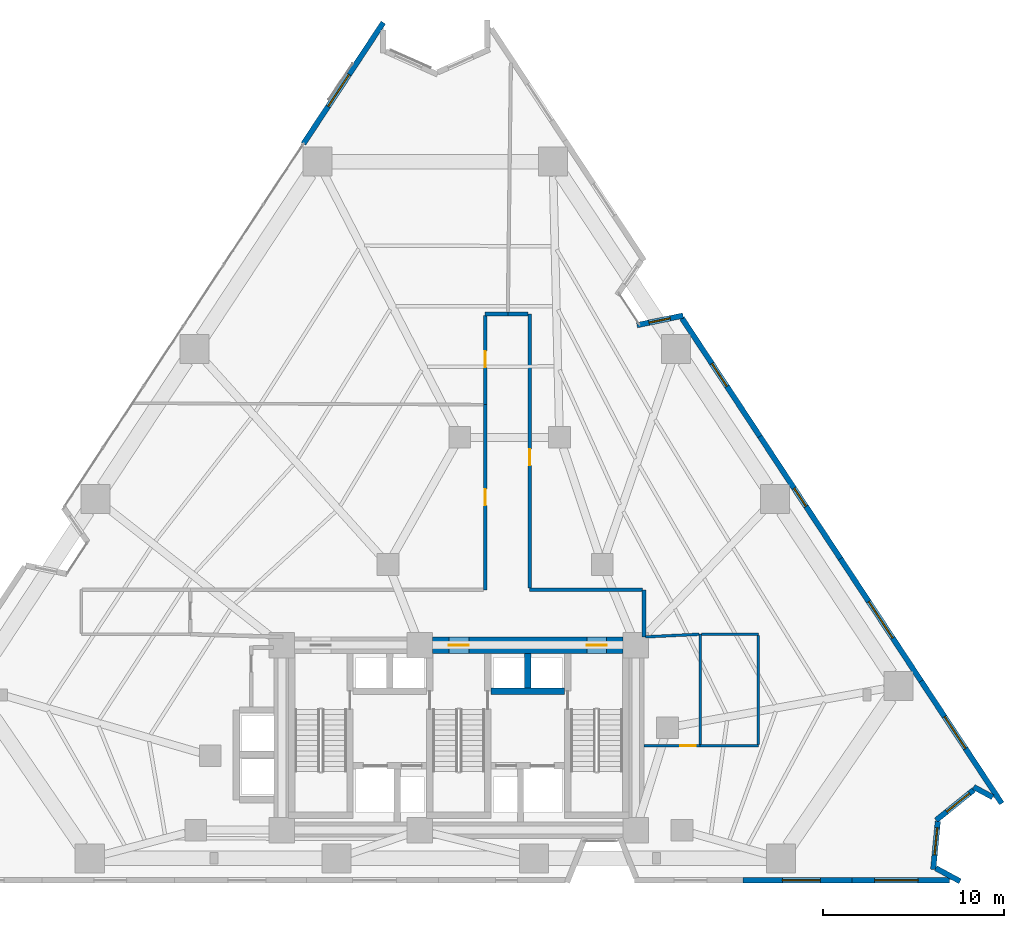
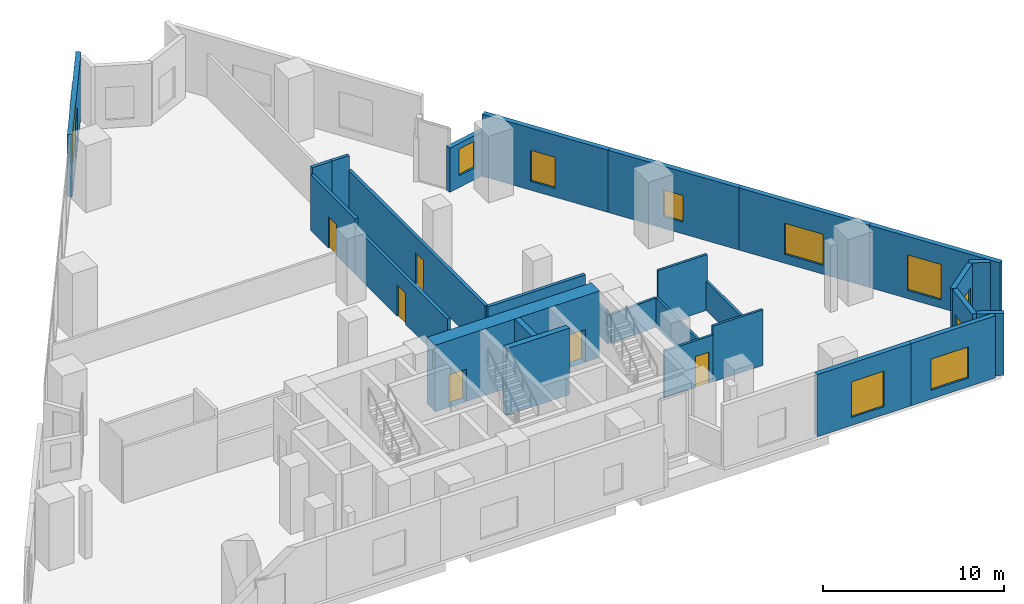
# One storey, part 8 of 11: 28 walls, 10 windows, 6 doors, 16 openings.
"""IFC4 building model written with IfcOpenShell, lengths in metres."""

from ifc_helpers import new_model, si_unit, direction, frame, frame_2d, origin, place, context, subcontext, project, spatial, rectangle, extrude, material, layer, layer_set, type_object, element, fill, save


model = new_model("IFC4")

# Units and contexts
model_context = context("Model", 3, precision=1e-05, world=origin(), true_north=direction((0.0, 1.0)))
body_context = subcontext(model_context, "Body", "Model", "MODEL_VIEW")
ifc_project = project(units=[si_unit("LENGTHUNIT", "METRE"), si_unit("AREAUNIT", "SQUARE_METRE"), si_unit("VOLUMEUNIT", "CUBIC_METRE"), si_unit("PLANEANGLEUNIT", "RADIAN"), si_unit("MASSUNIT", "GRAM", prefix="KILO")], contexts=[model_context])

# Site, building, storey
site_placement = place(None, origin())
site = spatial("IfcSite", under=ifc_project, at=site_placement, CompositionType="ELEMENT")
building_placement = place(site_placement, origin())
building = spatial("IfcBuilding", under=site, at=building_placement, Name="Almagre Mirador Tower", CompositionType="ELEMENT")
storey_placement = place(building_placement, frame((0.0, 0.0, 21.89990234375)))
storey = spatial("IfcBuildingStorey", under=building, at=storey_placement, Name="L04", CompositionType="ELEMENT", Elevation=21.89990234375)

# Wall, opening, window
ifc_material_1 = material(Name="Precast concrete C50/60", Category="concrete")
ifc_layer_1 = layer(ifc_material_1, 0.300048828125)
ifc_layer_set_1 = layer_set([ifc_layer_1], Name="Precast concrete C50/60")
wall_type_1 = type_object("IfcWallType", Name="WAL-EXT-300", PredefinedType="SOLIDWALL", material=ifc_layer_set_1)
wall_1_placement = place(storey_placement, frame((28.734619140625, 42.37353515625, 0.0), z_axis=(0.0, 0.0, 1.0), x_axis=(0.550187716895, 0.835041002693, 0.0)))
wall_1 = element("IfcWall", 1, at=wall_1_placement, inside=storey, type_object=wall_type_1, Name="L04 expressed almagre precast frame wall 03", PredefinedType="SOLIDWALL", context=body_context, shape_type="SweptSolid", body=[
    extrude(rectangle(XDim=8.005126953125, YDim=0.300048828125, at=frame_2d((4.00244140625, 0.0))), origin(), (0.0, 0.0, 1.0), 4.2001953125),
])
opening_1_placement = place(wall_1_placement, frame((2.47509765625, 0.0, 0.550048828125)))
opening_1 = element("IfcOpeningElement", 2, at=opening_1_placement, cuts=wall_1, Name="Opening WN-05", PredefinedType="OPENING", context=body_context, shape_type="SweptSolid", body=[
    extrude(rectangle(XDim=2.10009765625, YDim=2.39990234375, at=frame_2d((1.050048828125, 1.199951171875))), frame((0.0, 0.159902, 0.0), z_axis=(0.0, -1.0, 0.0), x_axis=(1.0, 0.0, 0.0)), (0.0, 0.0, 1.0), 0.320049),
])
ifc_material_2 = material(Name="Dark solar-control laminated hurricane glass", Category="glass")
window_type_1 = type_object("IfcWindowType", Name="WIN-2100X2400", PartitioningType="DOUBLE_PANEL_VERTICAL", PredefinedType="WINDOW", material=ifc_material_2)
window_1_placement = place(opening_1_placement, origin())
window_1 = element("IfcWindow", 3, at=window_1_placement, inside=storey, type_object=window_type_1, Name="L04 recessed hurricane window L04-GAL-8", OverallHeight=2.39990234375, OverallWidth=2.10009765625, PartitioningType="SINGLE_PANEL", PredefinedType="WINDOW", context=body_context, shape_type="SweptSolid", body=[
    extrude(rectangle(XDim=2.10009765625, YDim=2.39990234375, at=frame_2d((1.050048828125, 1.199951171875))), frame((0.0, 0.030029296875, 0.0), z_axis=(0.0, -1.0, 0.0), x_axis=(1.0, 0.0, 0.0)), (0.0, 0.0, 1.0), 0.06005859375),
])
fill(opening_1, window_1)

wall_2_placement = place(storey_placement, frame((47.117919921875, 32.382568359375, 0.0), z_axis=(0.0, 0.0, 1.0), x_axis=(0.979237233816, 0.20271763591, 0.0)))
wall_2 = element("IfcWall", 4, at=wall_2_placement, inside=storey, type_object=wall_type_1, Name="L04 expressed almagre precast frame wall 11", PredefinedType="SOLIDWALL", context=body_context, shape_type="SweptSolid", body=[
    extrude(rectangle(XDim=2.59423828125, YDim=0.300048828125, at=frame_2d((1.297119140625, 0.0))), origin(), (0.0, 0.0, 1.0), 2.97509765625),
])
opening_2_placement = place(wall_2_placement, frame((0.675048828125, 0.0, 0.800048828125)))
opening_2 = element("IfcOpeningElement", 5, at=opening_2_placement, cuts=wall_2, Name="Opening WN-04", PredefinedType="OPENING", context=body_context, shape_type="SweptSolid", body=[
    extrude(rectangle(XDim=1.199951171875, YDim=1.800048828125, at=frame_2d((0.60009765625, 0.89990234375))), frame((0.0, 0.159902, 0.0), z_axis=(0.0, -1.0, 0.0), x_axis=(1.0, 0.0, 0.0)), (0.0, 0.0, 1.0), 0.320049),
])
ifc_material_3 = material(Name="Dark solar-control laminated hurricane glass", Category="glass")
window_type_2 = type_object("IfcWindowType", Name="WIN-1200X1800", PartitioningType="SINGLE_PANEL", PredefinedType="WINDOW", material=ifc_material_3)
window_2_placement = place(opening_2_placement, origin())
window_2 = element("IfcWindow", 6, at=window_2_placement, inside=storey, type_object=window_type_2, Name="L04 recessed hurricane window L04-WSH-7", OverallHeight=1.800048828125, OverallWidth=1.199951171875, PartitioningType="SINGLE_PANEL", PredefinedType="WINDOW", context=body_context, shape_type="SweptSolid", body=[
    extrude(rectangle(XDim=1.199951171875, YDim=1.800048828125, at=frame_2d((0.60009765625, 0.89990234375))), frame((0.0, 0.030029296875, 0.0), z_axis=(0.0, -1.0, 0.0), x_axis=(1.0, 0.0, 0.0)), (0.0, 0.0, 1.0), 0.06005859375),
])
fill(opening_2, window_2)

wall_3_placement = place(storey_placement, frame((49.59521484375, 32.767333984375, 0.0), z_axis=(0.0, 0.0, 1.0), x_axis=(0.550206735606, -0.835028471427, 0.0)))
wall_3 = element("IfcWall", 7, at=wall_3_placement, inside=storey, type_object=wall_type_1, Name="L04 expressed almagre precast frame wall 12", PredefinedType="SOLIDWALL", context=body_context, shape_type="SweptSolid", body=[
    extrude(rectangle(XDim=7.80029296875, YDim=0.300048828125, at=frame_2d((3.900146484375, 0.0))), origin(), (0.0, 0.0, 1.0), 4.2001953125),
])
opening_3_placement = place(wall_3_placement, frame((3.0, 0.0, 0.60009765625)))
opening_3 = element("IfcOpeningElement", 8, at=opening_3_placement, cuts=wall_3, Name="Opening WN-03", PredefinedType="OPENING", context=body_context, shape_type="SweptSolid", body=[
    extrude(rectangle(XDim=1.5, YDim=2.10009765625, at=frame_2d((0.75, 1.050048828125))), frame((0.0, 0.159902, 0.0), z_axis=(0.0, -1.0, 0.0), x_axis=(1.0, 0.0, 0.0)), (0.0, 0.0, 1.0), 0.320049),
])
ifc_material_4 = material(Name="Dark solar-control laminated hurricane glass", Category="glass")
window_type_3 = type_object("IfcWindowType", Name="WIN-1500X2100", PartitioningType="DOUBLE_PANEL_VERTICAL", PredefinedType="WINDOW", material=ifc_material_4)
window_3_placement = place(opening_3_placement, origin())
window_3 = element("IfcWindow", 9, at=window_3_placement, inside=storey, type_object=window_type_3, Name="L04 recessed hurricane window L04-WSH-7", OverallHeight=2.10009765625, OverallWidth=1.5, PartitioningType="SINGLE_PANEL", PredefinedType="WINDOW", context=body_context, shape_type="SweptSolid", body=[
    extrude(rectangle(XDim=1.5, YDim=2.10009765625, at=frame_2d((0.75, 1.050048828125))), frame((0.0, 0.030029296875, 0.0), z_axis=(0.0, -1.0, 0.0), x_axis=(1.0, 0.0, 0.0)), (0.0, 0.0, 1.0), 0.06005859375),
])
fill(opening_3, window_3)

wall_4_placement = place(storey_placement, frame((53.886962890625, 26.25390625, 0.0), z_axis=(0.0, 0.0, 1.0), x_axis=(0.550219947218, -0.835019766043, 0.0)))
wall_4 = element("IfcWall", 10, at=wall_4_placement, inside=storey, type_object=wall_type_1, Name="L04 expressed almagre precast frame wall 13", PredefinedType="SOLIDWALL", context=body_context, shape_type="SweptSolid", body=[
    extrude(rectangle(XDim=8.0751953125, YDim=0.300048828125, at=frame_2d((4.03759765625, 0.0))), origin(), (0.0, 0.0, 1.0), 4.2001953125),
])
opening_4_placement = place(wall_4_placement, frame((3.425048828125, 0.0, 0.800048828125)))
opening_4 = element("IfcOpeningElement", 11, at=opening_4_placement, cuts=wall_4, Name="Opening WN-04", PredefinedType="OPENING", context=body_context, shape_type="SweptSolid", body=[
    extrude(rectangle(XDim=1.199951171875, YDim=1.800048828125, at=frame_2d((0.60009765625, 0.89990234375))), frame((0.0, 0.159902, 0.0), z_axis=(0.0, -1.0, 0.0), x_axis=(1.0, 0.0, 0.0)), (0.0, 0.0, 1.0), 0.320049),
])
window_4_placement = place(opening_4_placement, origin())
window_4 = element("IfcWindow", 12, at=window_4_placement, inside=storey, type_object=window_type_2, Name="L04 recessed hurricane window L04-WSH-7", OverallHeight=1.800048828125, OverallWidth=1.199951171875, PartitioningType="SINGLE_PANEL", PredefinedType="WINDOW", context=body_context, shape_type="SweptSolid", body=[
    extrude(rectangle(XDim=1.199951171875, YDim=1.800048828125, at=frame_2d((0.60009765625, 0.89990234375))), frame((0.0, 0.030029296875, 0.0), z_axis=(0.0, -1.0, 0.0), x_axis=(1.0, 0.0, 0.0)), (0.0, 0.0, 1.0), 0.06005859375),
])
fill(opening_4, window_4)

wall_5_placement = place(storey_placement, frame((58.330078125, 19.510986328125, 0.0), z_axis=(0.0, 0.0, 1.0), x_axis=(0.550198866124, -0.835033656637, 0.0)))
wall_5 = element("IfcWall", 13, at=wall_5_placement, inside=storey, type_object=wall_type_1, Name="L04 expressed almagre precast frame wall 14", PredefinedType="SOLIDWALL", context=body_context, shape_type="SweptSolid", body=[
    extrude(rectangle(XDim=8.074951171875, YDim=0.300048828125, at=frame_2d((4.03759765625, 0.0))), origin(), (0.0, 0.0, 1.0), 4.2001953125),
])
opening_5_placement = place(wall_5_placement, frame((2.824951171875, 0.0, 0.60009765625)))
opening_5 = element("IfcOpeningElement", 14, at=opening_5_placement, cuts=wall_5, Name="Opening WN-02", PredefinedType="OPENING", context=body_context, shape_type="SweptSolid", body=[
    extrude(rectangle(XDim=2.39990234375, YDim=2.10009765625, at=frame_2d((1.199951171875, 1.050048828125))), frame((0.0, 0.159902, 0.0), z_axis=(0.0, -1.0, 0.0), x_axis=(1.0, 0.0, 0.0)), (0.0, 0.0, 1.0), 0.320049),
])
ifc_material_5 = material(Name="Dark solar-control laminated hurricane glass", Category="glass")
window_type_4 = type_object("IfcWindowType", Name="WIN-2400X2100", PartitioningType="TRIPLE_PANEL_VERTICAL", PredefinedType="WINDOW", material=ifc_material_5)
window_5_placement = place(opening_5_placement, origin())
window_5 = element("IfcWindow", 15, at=window_5_placement, inside=storey, type_object=window_type_4, Name="L04 recessed hurricane window L04-WSH-7", OverallHeight=2.10009765625, OverallWidth=2.39990234375, PartitioningType="SINGLE_PANEL", PredefinedType="WINDOW", context=body_context, shape_type="SweptSolid", body=[
    extrude(rectangle(XDim=2.39990234375, YDim=2.10009765625, at=frame_2d((1.199951171875, 1.050048828125))), frame((0.0, 0.030029296875, 0.0), z_axis=(0.0, -1.0, 0.0), x_axis=(1.0, 0.0, 0.0)), (0.0, 0.0, 1.0), 0.06005859375),
])
fill(opening_5, window_5)

wall_6_placement = place(storey_placement, frame((62.77294921875, 12.76806640625, 0.0), z_axis=(0.0, 0.0, 1.0), x_axis=(0.550219947218, -0.835019766043, 0.0)))
wall_6 = element("IfcWall", 16, at=wall_6_placement, inside=storey, type_object=wall_type_1, Name="L04 expressed almagre precast frame wall 15", PredefinedType="SOLIDWALL", context=body_context, shape_type="SweptSolid", body=[
    extrude(rectangle(XDim=8.0751953125, YDim=0.300048828125, at=frame_2d((4.03759765625, 0.0))), origin(), (0.0, 0.0, 1.0), 4.2001953125),
])
opening_6_placement = place(wall_6_placement, frame((2.35009765625, 0.0, 0.550048828125)))
opening_6 = element("IfcOpeningElement", 17, at=opening_6_placement, cuts=wall_6, Name="Opening WN-05", PredefinedType="OPENING", context=body_context, shape_type="SweptSolid", body=[
    extrude(rectangle(XDim=2.10009765625, YDim=2.39990234375, at=frame_2d((1.050048828125, 1.199951171875))), frame((0.0, 0.159902, 0.0), z_axis=(0.0, -1.0, 0.0), x_axis=(1.0, 0.0, 0.0)), (0.0, 0.0, 1.0), 0.320049),
])
window_6_placement = place(opening_6_placement, origin())
window_6 = element("IfcWindow", 18, at=window_6_placement, inside=storey, type_object=window_type_1, Name="L04 recessed hurricane window L04-WSH-7", OverallHeight=2.39990234375, OverallWidth=2.10009765625, PartitioningType="SINGLE_PANEL", PredefinedType="WINDOW", context=body_context, shape_type="SweptSolid", body=[
    extrude(rectangle(XDim=2.10009765625, YDim=2.39990234375, at=frame_2d((1.050048828125, 1.199951171875))), frame((0.0, 0.030029296875, 0.0), z_axis=(0.0, -1.0, 0.0), x_axis=(1.0, 0.0, 0.0)), (0.0, 0.0, 1.0), 0.06005859375),
])
fill(opening_6, window_6)

# Wall
wall_7_placement = place(storey_placement, frame((66.720703125, 6.367431640625, 0.0), z_axis=(0.0, 0.0, 1.0), x_axis=(-0.880320174686, 0.474380005946, 0.0)))
element("IfcWall", 19, at=wall_7_placement, inside=storey, type_object=wall_type_1, Name="L04 expressed almagre precast frame wall 16", PredefinedType="SOLIDWALL", context=body_context, shape_type="SweptSolid", body=[
    extrude(rectangle(XDim=1.195068359375, YDim=0.300048828125, at=frame_2d((0.59765625, 0.0))), origin(), (0.0, 0.0, 1.0), 4.2001953125),
])

# Wall, opening, window
wall_8_placement = place(storey_placement, frame((65.68310546875, 6.780029296875, 0.0), z_axis=(0.0, 0.0, 1.0), x_axis=(-0.778253340515, -0.62795042637, 0.0)))
wall_8 = element("IfcWall", 20, at=wall_8_placement, inside=storey, type_object=wall_type_1, Name="L04 expressed almagre precast frame wall 17", PredefinedType="SOLIDWALL", context=body_context, shape_type="SweptSolid", body=[
    extrude(rectangle(XDim=2.67529296875, YDim=0.300048828125, at=frame_2d((1.337646484375, 0.0))), origin(), (0.0, 0.0, 1.0), 4.2001953125),
])
opening_7_placement = place(wall_8_placement, frame((0.320068359375, 0.0, 0.550048828125)))
opening_7 = element("IfcOpeningElement", 21, at=opening_7_placement, cuts=wall_8, Name="Opening WN-06", PredefinedType="OPENING", context=body_context, shape_type="SweptSolid", body=[
    extrude(rectangle(XDim=1.60009765625, YDim=2.199951171875, at=frame_2d((0.800048828125, 1.10009765625))), frame((0.0, 0.159902, 0.0), z_axis=(0.0, -1.0, 0.0), x_axis=(1.0, 0.0, 0.0)), (0.0, 0.0, 1.0), 0.320049),
])
ifc_material_6 = material(Name="Dark solar-control laminated hurricane glass", Category="glass")
window_type_5 = type_object("IfcWindowType", Name="WIN-1600X2200", PartitioningType="DOUBLE_PANEL_VERTICAL", PredefinedType="WINDOW", material=ifc_material_6)
window_7_placement = place(opening_7_placement, origin())
window_7 = element("IfcWindow", 22, at=window_7_placement, inside=storey, type_object=window_type_5, Name="L04 recessed hurricane window L04-WSH-7", OverallHeight=2.199951171875, OverallWidth=1.60009765625, PartitioningType="SINGLE_PANEL", PredefinedType="WINDOW", context=body_context, shape_type="SweptSolid", body=[
    extrude(rectangle(XDim=1.60009765625, YDim=2.199951171875, at=frame_2d((0.800048828125, 1.10009765625))), frame((0.0, 0.030029296875, 0.0), z_axis=(0.0, -1.0, 0.0), x_axis=(1.0, 0.0, 0.0)), (0.0, 0.0, 1.0), 0.06005859375),
])
fill(opening_7, window_7)

wall_9_placement = place(storey_placement, frame((63.695068359375, 5.03369140625, 0.0), z_axis=(0.0, 0.0, 1.0), x_axis=(-0.096121744624, -0.995369584732, 0.0)))
wall_9 = element("IfcWall", 23, at=wall_9_placement, inside=storey, type_object=wall_type_1, Name="L04 expressed almagre precast frame wall 18", PredefinedType="SOLIDWALL", context=body_context, shape_type="SweptSolid", body=[
    extrude(rectangle(XDim=2.6591796875, YDim=0.300048828125, at=frame_2d((1.32958984375, 0.0))), origin(), (0.0, 0.0, 1.0), 4.2001953125),
])
opening_8_placement = place(wall_9_placement, frame((0.35498046875, 0.0, 0.60009765625)))
opening_8 = element("IfcOpeningElement", 24, at=opening_8_placement, cuts=wall_9, Name="Opening WN-03", PredefinedType="OPENING", context=body_context, shape_type="SweptSolid", body=[
    extrude(rectangle(XDim=1.5, YDim=2.10009765625, at=frame_2d((0.75, 1.050048828125))), frame((0.0, 0.159902, 0.0), z_axis=(0.0, -1.0, 0.0), x_axis=(1.0, 0.0, 0.0)), (0.0, 0.0, 1.0), 0.320049),
])
window_8_placement = place(opening_8_placement, origin())
window_8 = element("IfcWindow", 25, at=window_8_placement, inside=storey, type_object=window_type_3, Name="L04 recessed hurricane window L04-WSH-7", OverallHeight=2.10009765625, OverallWidth=1.5, PartitioningType="SINGLE_PANEL", PredefinedType="WINDOW", context=body_context, shape_type="SweptSolid", body=[
    extrude(rectangle(XDim=1.5, YDim=2.10009765625, at=frame_2d((0.75, 1.050048828125))), frame((0.0, 0.030029296875, 0.0), z_axis=(0.0, -1.0, 0.0), x_axis=(1.0, 0.0, 0.0)), (0.0, 0.0, 1.0), 0.06005859375),
])
fill(opening_8, window_8)

# Wall
wall_10_placement = place(storey_placement, frame((63.576416015625, 2.459716796875, 0.0), z_axis=(0.0, 0.0, 1.0), x_axis=(0.88021477324, -0.474575550329, 0.0)))
element("IfcWall", 26, at=wall_10_placement, inside=storey, type_object=wall_type_1, Name="L04 expressed almagre precast frame wall 19", PredefinedType="SOLIDWALL", context=body_context, shape_type="SweptSolid", body=[
    extrude(rectangle(XDim=1.530029296875, YDim=0.300048828125, at=frame_2d((0.76513671875, 0.0))), origin(), (0.0, 0.0, 1.0), 4.2001953125),
])

# Wall, opening, window
wall_11_placement = place(storey_placement, frame((64.324951171875, 1.800048828125, 0.0), z_axis=(0.0, 0.0, 1.0), x_axis=(-1.0, 0.0, 0.0)))
wall_11 = element("IfcWall", 27, at=wall_11_placement, inside=storey, type_object=wall_type_1, Name="L04 expressed almagre precast frame wall 20", PredefinedType="SOLIDWALL", context=body_context, shape_type="SweptSolid", body=[
    extrude(rectangle(XDim=5.373046875, YDim=0.300048828125, at=frame_2d((2.6865234375, 0.0))), origin(), (0.0, 0.0, 1.0), 4.2001953125),
])
opening_9_placement = place(wall_11_placement, frame((1.7099609375, 0.0, 0.60009765625)))
opening_9 = element("IfcOpeningElement", 28, at=opening_9_placement, cuts=wall_11, Name="Opening WN-02", PredefinedType="OPENING", context=body_context, shape_type="SweptSolid", body=[
    extrude(rectangle(XDim=2.39990234375, YDim=2.10009765625, at=frame_2d((1.199951171875, 1.050048828125))), frame((0.0, 0.159902, 0.0), z_axis=(0.0, -1.0, 0.0), x_axis=(1.0, 0.0, 0.0)), (0.0, 0.0, 1.0), 0.320049),
])
window_9_placement = place(opening_9_placement, origin())
window_9 = element("IfcWindow", 29, at=window_9_placement, inside=storey, type_object=window_type_4, Name="L04 recessed hurricane window L04-WSH-7", OverallHeight=2.10009765625, OverallWidth=2.39990234375, PartitioningType="SINGLE_PANEL", PredefinedType="WINDOW", context=body_context, shape_type="SweptSolid", body=[
    extrude(rectangle(XDim=2.39990234375, YDim=2.10009765625, at=frame_2d((1.199951171875, 1.050048828125))), frame((0.0, 0.030029296875, 0.0), z_axis=(0.0, -1.0, 0.0), x_axis=(1.0, 0.0, 0.0)), (0.0, 0.0, 1.0), 0.06005859375),
])
fill(opening_9, window_9)

wall_12_placement = place(storey_placement, frame((58.951904296875, 1.800048828125, 0.0), z_axis=(0.0, 0.0, 1.0), x_axis=(-1.0, 0.0, 0.0)))
wall_12 = element("IfcWall", 30, at=wall_12_placement, inside=storey, type_object=wall_type_1, Name="L04 expressed almagre precast frame wall 21", PredefinedType="SOLIDWALL", context=body_context, shape_type="SweptSolid", body=[
    extrude(rectangle(XDim=5.98779296875, YDim=0.300048828125, at=frame_2d((2.993896484375, 0.0))), origin(), (0.0, 0.0, 1.0), 4.2001953125),
])
opening_10_placement = place(wall_12_placement, frame((1.72509765625, 0.0, 0.550048828125)))
opening_10 = element("IfcOpeningElement", 31, at=opening_10_placement, cuts=wall_12, Name="Opening WN-05", PredefinedType="OPENING", context=body_context, shape_type="SweptSolid", body=[
    extrude(rectangle(XDim=2.10009765625, YDim=2.39990234375, at=frame_2d((1.050048828125, 1.199951171875))), frame((0.0, 0.159902, 0.0), z_axis=(0.0, -1.0, 0.0), x_axis=(1.0, 0.0, 0.0)), (0.0, 0.0, 1.0), 0.320049),
])
window_10_placement = place(opening_10_placement, origin())
window_10 = element("IfcWindow", 32, at=window_10_placement, inside=storey, type_object=window_type_1, Name="L04 recessed hurricane window L04-WSH-7", OverallHeight=2.39990234375, OverallWidth=2.10009765625, PartitioningType="SINGLE_PANEL", PredefinedType="WINDOW", context=body_context, shape_type="SweptSolid", body=[
    extrude(rectangle(XDim=2.10009765625, YDim=2.39990234375, at=frame_2d((1.050048828125, 1.199951171875))), frame((0.0, 0.030029296875, 0.0), z_axis=(0.0, -1.0, 0.0), x_axis=(1.0, 0.0, 0.0)), (0.0, 0.0, 1.0), 0.06005859375),
])
fill(opening_10, window_10)

# Wall, opening, door
ifc_material_7 = material(Name="Gypsum acoustic stud partition", Category="other")
ifc_layer_2 = layer(ifc_material_7, 0.14990234375)
ifc_layer_set_2 = layer_set([ifc_layer_2], Name="Gypsum acoustic stud partition")
wall_type_2 = type_object("IfcWallType", Name="WAL-PRT-150-STD", PredefinedType="PARTITIONING", material=ifc_layer_set_2)
wall_13_placement = place(storey_placement, frame((50.60009765625, 9.199951171875, 0.0), z_axis=(0.0, 0.0, 1.0), x_axis=(-1.0, 0.0, 0.0)))
wall_13 = element("IfcWall", 33, at=wall_13_placement, inside=storey, type_object=wall_type_2, Name="L04 interior partition 011", PredefinedType="PARTITIONING", context=body_context, shape_type="SweptSolid", body=[
    extrude(rectangle(XDim=3.10009765625, YDim=0.14990234375, at=frame_2d((1.550048828125, 0.0))), origin(), (0.0, 0.0, 1.0), 3.1591796875),
])
opening_11_placement = place(wall_13_placement, frame((0.255859375, 0.0, 0.0)))
opening_11 = element("IfcOpeningElement", 34, at=opening_11_placement, cuts=wall_13, Name="Opening UD-04", PredefinedType="OPENING", context=body_context, shape_type="SweptSolid", body=[
    extrude(rectangle(XDim=0.85009765625, YDim=2.10009765625, at=frame_2d((0.425048828125, 1.050048828125))), frame((0.0, 0.084951, 0.0), z_axis=(0.0, -1.0, 0.0), x_axis=(1.0, 0.0, 0.0)), (0.0, 0.0, 1.0), 0.169902),
])
ifc_material_8 = material(Name="Moisture-resistant oak timber", Category="wood")
door_type_1 = type_object("IfcDoorType", Name="DOR-UNR-850X2100", OperationType="NOTDEFINED", PredefinedType="DOOR", material=ifc_material_8)
door_1_placement = place(opening_11_placement, origin())
door_1 = element("IfcDoor", 35, at=door_1_placement, inside=storey, type_object=door_type_1, Name="DR-0149 L04 interior door L04-WSH-7 to L04-WC-A", OperationType="SINGLE_SWING_LEFT", OverallHeight=2.10009765625, OverallWidth=0.85009765625, PredefinedType="DOOR", context=body_context, shape_type="SweptSolid", body=[
    extrude(rectangle(XDim=0.85009765625, YDim=2.10009765625, at=frame_2d((0.425048828125, 1.050048828125))), frame((0.0, 0.02490234375, 0.0), z_axis=(0.0, -1.0, 0.0), x_axis=(1.0, 0.0, 0.0)), (0.0, 0.0, 1.0), 0.050048828125),
])
fill(opening_11, door_1)

# Walls
wall_14_placement = place(storey_placement, frame((53.800048828125, 9.199951171875, 0.0), z_axis=(0.0, 0.0, 1.0), x_axis=(-1.0, 0.0, 0.0)))
element("IfcWall", 36, at=wall_14_placement, inside=storey, type_object=wall_type_2, Name="L04 interior partition 012", PredefinedType="PARTITIONING", context=body_context, shape_type="SweptSolid", body=[
    extrude(rectangle(XDim=3.199951171875, YDim=0.14990234375, at=frame_2d((1.60009765625, 0.0))), origin(), (0.0, 0.0, 1.0), 3.760986328125),
])
wall_15_placement = place(storey_placement, frame((50.60009765625, 9.260009765625, 0.0), z_axis=(0.0, 0.0, 1.0), x_axis=(0.0, 1.0, 0.0)))
element("IfcWall", 37, at=wall_15_placement, inside=storey, type_object=wall_type_2, Name="L04 interior partition 015", PredefinedType="PARTITIONING", context=body_context, shape_type="SweptSolid", body=[
    extrude(rectangle(XDim=6.090087890625, YDim=0.14990234375, at=frame_2d((3.044921875, 0.0))), origin(), (0.0, 0.0, 1.0), 1.97021484375),
])
wall_16_placement = place(storey_placement, frame((50.5400390625, 15.34716796875, 0.0), z_axis=(0.0, 0.0, 1.0), x_axis=(-0.998830110694, -0.048357108796, 0.0)))
element("IfcWall", 38, at=wall_16_placement, inside=storey, type_object=wall_type_2, Name="L04 interior partition 016", PredefinedType="PARTITIONING", context=body_context, shape_type="SweptSolid", body=[
    extrude(rectangle(XDim=2.95849609375, YDim=0.14990234375, at=frame_2d((1.479248046875, 0.0))), origin(), (0.0, 0.0, 1.0), 1.97021484375),
])
wall_17_placement = place(storey_placement, frame((53.800048828125, 15.35009765625, 0.0), z_axis=(0.0, 0.0, 1.0), x_axis=(-1.0, 0.0, 0.0)))
element("IfcWall", 39, at=wall_17_placement, inside=storey, type_object=wall_type_2, Name="L04 interior partition 017", PredefinedType="PARTITIONING", context=body_context, shape_type="SweptSolid", body=[
    extrude(rectangle(XDim=3.14013671875, YDim=0.14990234375, at=frame_2d((1.570068359375, 0.0))), origin(), (0.0, 0.0, 1.0), 3.760986328125),
])
wall_18_placement = place(storey_placement, frame((53.800048828125, 9.260009765625, 0.0), z_axis=(0.0, 0.0, 1.0), x_axis=(0.0, 1.0, 0.0)))
element("IfcWall", 40, at=wall_18_placement, inside=storey, type_object=wall_type_2, Name="L04 interior partition 018", PredefinedType="PARTITIONING", context=body_context, shape_type="SweptSolid", body=[
    extrude(rectangle(XDim=6.030029296875, YDim=0.14990234375, at=frame_2d((3.01513671875, 0.0))), origin(), (0.0, 0.0, 1.0), 1.97021484375),
])

# Wall, opening, door
ifc_material_9 = material(Name="Gypsum acoustic stud partition", Category="other")
ifc_layer_3 = layer(ifc_material_9, 0.199951171875)
ifc_layer_set_3 = layer_set([ifc_layer_3], Name="Gypsum acoustic stud partition")
wall_type_3 = type_object("IfcWallType", Name="WAL-PRT-200-EI60", PredefinedType="PARTITIONING", material=ifc_layer_set_3)
wall_19_placement = place(storey_placement, frame((38.75, 28.0, 0.0), z_axis=(0.0, 0.0, 1.0), x_axis=(0.0, -1.0, 0.0)))
wall_19 = element("IfcWall", 41, at=wall_19_placement, inside=storey, type_object=wall_type_3, Name="L04 interior partition 002", PredefinedType="PARTITIONING", context=body_context, shape_type="SweptSolid", body=[
    extrude(rectangle(XDim=10.199951171875, YDim=0.199951171875, at=frame_2d((5.10009765625, 0.0))), origin(), (0.0, 0.0, 1.0), 3.1591796875),
])
opening_12_placement = place(wall_19_placement, frame((4.64990234375, 0.0, 0.0)))
opening_12 = element("IfcOpeningElement", 42, at=opening_12_placement, cuts=wall_19, Name="Opening ID-03", PredefinedType="OPENING", context=body_context, shape_type="SweptSolid", body=[
    extrude(rectangle(XDim=0.89990234375, YDim=2.10009765625, at=frame_2d((0.449951171875, 1.050048828125))), frame((0.0, 0.110098, 0.0), z_axis=(0.0, -1.0, 0.0), x_axis=(1.0, 0.0, 0.0)), (0.0, 0.0, 1.0), 0.219951),
])
ifc_material_10 = material(Name="Fire-rated hollow steel", Category="steel")
door_type_2 = type_object("IfcDoorType", Name="DOR-FD60-900X2100", OperationType="NOTDEFINED", PredefinedType="DOOR", material=ifc_material_10)
door_2_placement = place(opening_12_placement, origin())
door_2 = element("IfcDoor", 43, at=door_2_placement, inside=storey, type_object=door_type_2, Name="DR-0147 L04 interior door L04-COR to L04-STE-3", OperationType="SINGLE_SWING_LEFT", OverallHeight=2.10009765625, OverallWidth=0.89990234375, PredefinedType="DOOR", context=body_context, shape_type="SweptSolid", body=[
    extrude(rectangle(XDim=0.89990234375, YDim=2.10009765625, at=frame_2d((0.449951171875, 1.050048828125))), frame((0.0, 0.02490234375, 0.0), z_axis=(0.0, -1.0, 0.0), x_axis=(1.0, 0.0, 0.0)), (0.0, 0.0, 1.0), 0.050048828125),
])
fill(opening_12, door_2)

# Walls
wall_20_placement = place(storey_placement, frame((47.5, 15.199951171875, 0.0), z_axis=(0.0, 0.0, 1.0), x_axis=(0.0, 1.0, 0.0)))
element("IfcWall", 44, at=wall_20_placement, inside=storey, type_object=wall_type_3, Name="L04 interior partition 005", PredefinedType="PARTITIONING", context=body_context, shape_type="SweptSolid", body=[
    extrude(rectangle(XDim=2.60009765625, YDim=0.199951171875, at=frame_2d((1.300048828125, 0.0))), origin(), (0.0, 0.0, 1.0), 1.97021484375),
])
wall_21_placement = place(storey_placement, frame((47.4150390625, 17.800048828125, 0.0), z_axis=(0.0, 0.0, 1.0), x_axis=(-1.0, 0.0, 0.0)))
element("IfcWall", 45, at=wall_21_placement, inside=storey, type_object=wall_type_3, Name="L04 interior partition 006", PredefinedType="PARTITIONING", context=body_context, shape_type="SweptSolid", body=[
    extrude(rectangle(XDim=6.215087890625, YDim=0.199951171875, at=frame_2d((3.107421875, 0.0))), origin(), (0.0, 0.0, 1.0), 3.1591796875),
])

# Wall, opening, door
wall_22_placement = place(storey_placement, frame((41.199951171875, 17.885009765625, 0.0), z_axis=(0.0, 0.0, 1.0), x_axis=(0.0, 1.0, 0.0)))
wall_22 = element("IfcWall", 46, at=wall_22_placement, inside=storey, type_object=wall_type_3, Name="L04 interior partition 007", PredefinedType="PARTITIONING", context=body_context, shape_type="SweptSolid", body=[
    extrude(rectangle(XDim=15.114990234375, YDim=0.199951171875, at=frame_2d((7.5576171875, 0.0))), origin(), (0.0, 0.0, 1.0), 3.1591796875),
])
opening_13_placement = place(wall_22_placement, frame((6.765380859375, 0.0, 0.0)))
opening_13 = element("IfcOpeningElement", 47, at=opening_13_placement, cuts=wall_22, Name="Opening ID-03", PredefinedType="OPENING", context=body_context, shape_type="SweptSolid", body=[
    extrude(rectangle(XDim=0.89990234375, YDim=2.10009765625, at=frame_2d((0.449951171875, 1.050048828125))), frame((0.0, 0.110098, 0.0), z_axis=(0.0, -1.0, 0.0), x_axis=(1.0, 0.0, 0.0)), (0.0, 0.0, 1.0), 0.219951),
])
door_3_placement = place(opening_13_placement, origin())
door_3 = element("IfcDoor", 48, at=door_3_placement, inside=storey, type_object=door_type_2, Name="DR-0148 L04 interior door L04-COR to L04-WSH-7", OperationType="SINGLE_SWING_RIGHT", OverallHeight=2.10009765625, OverallWidth=0.89990234375, PredefinedType="DOOR", context=body_context, shape_type="SweptSolid", body=[
    extrude(rectangle(XDim=0.89990234375, YDim=2.10009765625, at=frame_2d((0.449951171875, 1.050048828125))), frame((0.0, 0.02490234375, 0.0), z_axis=(0.0, -1.0, 0.0), x_axis=(1.0, 0.0, 0.0)), (0.0, 0.0, 1.0), 0.050048828125),
])
fill(opening_13, door_3)

# Walls
wall_23_placement = place(storey_placement, frame((41.114990234375, 33.0, 0.0), z_axis=(0.0, 0.0, 1.0), x_axis=(-1.0, 0.0, 0.0)))
element("IfcWall", 49, at=wall_23_placement, inside=storey, type_object=wall_type_3, Name="L04 interior partition 008", PredefinedType="PARTITIONING", context=body_context, shape_type="SweptSolid", body=[
    extrude(rectangle(XDim=1.114990234375, YDim=0.199951171875, at=frame_2d((0.5576171875, 0.0))), origin(), (0.0, 0.0, 1.0), 4.2001953125),
])
wall_24_placement = place(storey_placement, frame((40.0, 33.0, 0.0), z_axis=(0.0, 0.0, 1.0), x_axis=(-1.0, 0.0, 0.0)))
element("IfcWall", 50, at=wall_24_placement, inside=storey, type_object=wall_type_3, Name="L04 interior partition 009", PredefinedType="PARTITIONING", context=body_context, shape_type="SweptSolid", body=[
    extrude(rectangle(XDim=1.25, YDim=0.199951171875, at=frame_2d((0.625, 0.0))), origin(), (0.0, 0.0, 1.0), 4.2001953125),
])

# Wall, opening, door
wall_25_placement = place(storey_placement, frame((38.75, 32.9150390625, 0.0), z_axis=(0.0, 0.0, 1.0), x_axis=(0.0, -1.0, 0.0)))
wall_25 = element("IfcWall", 51, at=wall_25_placement, inside=storey, type_object=wall_type_3, Name="L04 interior partition 010", PredefinedType="PARTITIONING", context=body_context, shape_type="SweptSolid", body=[
    extrude(rectangle(XDim=4.9150390625, YDim=0.199951171875, at=frame_2d((2.45751953125, 0.0))), origin(), (0.0, 0.0, 1.0), 3.760986328125),
])
opening_14_placement = place(wall_25_placement, frame((1.965087890625, 0.0, 0.0)))
opening_14 = element("IfcOpeningElement", 52, at=opening_14_placement, cuts=wall_25, Name="Opening ID-03", PredefinedType="OPENING", context=body_context, shape_type="SweptSolid", body=[
    extrude(rectangle(XDim=0.89990234375, YDim=2.10009765625, at=frame_2d((0.449951171875, 1.050048828125))), frame((0.0, 0.110098, 0.0), z_axis=(0.0, -1.0, 0.0), x_axis=(1.0, 0.0, 0.0)), (0.0, 0.0, 1.0), 0.219951),
])
door_4_placement = place(opening_14_placement, origin())
door_4 = element("IfcDoor", 53, at=door_4_placement, inside=storey, type_object=door_type_2, Name="DR-0146 L04 interior door L04-COR to L04-GAL-8", OperationType="SINGLE_SWING_RIGHT", OverallHeight=2.10009765625, OverallWidth=0.89990234375, PredefinedType="DOOR", context=body_context, shape_type="SweptSolid", body=[
    extrude(rectangle(XDim=0.89990234375, YDim=2.10009765625, at=frame_2d((0.449951171875, 1.050048828125))), frame((0.0, 0.02490234375, 0.0), z_axis=(0.0, -1.0, 0.0), x_axis=(1.0, 0.0, 0.0)), (0.0, 0.0, 1.0), 0.050048828125),
])
fill(opening_14, door_4)

# Walls
ifc_material_11 = material(Name="Concrete C60/75", Category="concrete")
ifc_layer_4 = layer(ifc_material_11, 0.35009765625)
ifc_layer_set_4 = layer_set([ifc_layer_4], Name="Concrete C60/75")
wall_type_4 = type_object("IfcWallType", Name="WAL-SHF-350", PredefinedType="SOLIDWALL", material=ifc_layer_set_4)
wall_26_placement = place(storey_placement, frame((39.074951171875, 12.199951171875, 0.0), z_axis=(0.0, 0.0, 1.0), x_axis=(1.0, 0.0, 0.0)))
element("IfcWall", 54, at=wall_26_placement, inside=storey, type_object=wall_type_4, Name="L04 shaft wall PLH-S", PredefinedType="SOLIDWALL", context=body_context, shape_type="SweptSolid", body=[
    extrude(rectangle(XDim=4.050048828125, YDim=0.35009765625, at=frame_2d((2.02490234375, 0.0))), origin(), (0.0, 0.0, 1.0), 4.5),
])
wall_27_placement = place(storey_placement, frame((41.10009765625, 12.375, 0.0), z_axis=(0.0, 0.0, 1.0), x_axis=(0.0, 1.0, 0.0)))
element("IfcWall", 55, at=wall_27_placement, inside=storey, type_object=wall_type_4, Name="L04 shaft wall PLH-M", PredefinedType="SOLIDWALL", context=body_context, shape_type="SweptSolid", body=[
    extrude(rectangle(XDim=1.925048828125, YDim=0.35009765625, at=frame_2d((0.96240234375, 0.0))), origin(), (0.0, 0.0, 1.0), 4.5),
])

# Wall, openings, doors
ifc_material_12 = material(Name="Concrete C70/85", Category="concrete")
ifc_layer_5 = layer(ifc_material_12, 0.89990234375)
ifc_layer_set_5 = layer_set([ifc_layer_5], Name="Concrete C70/85")
wall_type_5 = type_object("IfcWallType", Name="WAL-SHR-900", PredefinedType="SHEAR", material=ifc_layer_set_5)
wall_28_placement = place(storey_placement, frame((35.85009765625, 14.75, 0.0), z_axis=(0.0, 0.0, 1.0), x_axis=(1.0, 0.0, 0.0)))
wall_28 = element("IfcWall", 56, at=wall_28_placement, inside=storey, type_object=wall_type_5, Name="L04 core shear wall N2", PredefinedType="SHEAR", context=body_context, shape_type="SweptSolid", body=[
    extrude(rectangle(XDim=10.5, YDim=0.89990234375, at=frame_2d((5.25, 0.0))), origin(), (0.0, 0.0, 1.0), 4.5),
])
opening_15_placement = place(wall_28_placement, frame((0.89990234375, 0.0, 0.0)))
opening_15 = element("IfcOpeningElement", 57, at=opening_15_placement, cuts=wall_28, Name="Opening SD-02", PredefinedType="OPENING", context=body_context, shape_type="SweptSolid", body=[
    extrude(rectangle(XDim=1.10009765625, YDim=2.199951171875, at=frame_2d((0.550048828125, 1.10009765625))), frame((0.0, 0.459951, 0.0), z_axis=(0.0, -1.0, 0.0), x_axis=(1.0, 0.0, 0.0)), (0.0, 0.0, 1.0), 0.919902),
])
opening_16_placement = place(wall_28_placement, frame((8.5, 0.0, 0.0)))
opening_16 = element("IfcOpeningElement", 58, at=opening_16_placement, cuts=wall_28, Name="Opening SD-02", PredefinedType="OPENING", context=body_context, shape_type="SweptSolid", body=[
    extrude(rectangle(XDim=1.10009765625, YDim=2.199951171875, at=frame_2d((0.550048828125, 1.10009765625))), frame((0.0, 0.459951, 0.0), z_axis=(0.0, -1.0, 0.0), x_axis=(1.0, 0.0, 0.0)), (0.0, 0.0, 1.0), 0.919902),
])
ifc_material_13 = material(Name="Fire-rated hollow steel", Category="steel")
door_type_3 = type_object("IfcDoorType", Name="DOR-ST-1100X2200", OperationType="NOTDEFINED", PredefinedType="DOOR", material=ifc_material_13)
door_5_placement = place(opening_15_placement, origin())
door_5 = element("IfcDoor", 59, at=door_5_placement, inside=storey, type_object=door_type_3, Name="DR-0155 L04 protected exit stair ST-2 door", OperationType="SINGLE_SWING_RIGHT", OverallHeight=2.199951171875, OverallWidth=1.10009765625, PredefinedType="DOOR", context=body_context, shape_type="SweptSolid", body=[
    extrude(rectangle(XDim=1.10009765625, YDim=2.199951171875, at=frame_2d((0.550048828125, 1.10009765625))), frame((0.0, 0.02490234375, 0.0), z_axis=(0.0, -1.0, 0.0), x_axis=(1.0, 0.0, 0.0)), (0.0, 0.0, 1.0), 0.050048828125),
])
fill(opening_15, door_5)
door_6_placement = place(opening_16_placement, origin())
door_6 = element("IfcDoor", 60, at=door_6_placement, inside=storey, type_object=door_type_3, Name="DR-0156 L04 protected exit stair ST-3 door", OperationType="SINGLE_SWING_LEFT", OverallHeight=2.199951171875, OverallWidth=1.10009765625, PredefinedType="DOOR", context=body_context, shape_type="SweptSolid", body=[
    extrude(rectangle(XDim=1.10009765625, YDim=2.199951171875, at=frame_2d((0.550048828125, 1.10009765625))), frame((0.0, 0.02490234375, 0.0), z_axis=(0.0, -1.0, 0.0), x_axis=(1.0, 0.0, 0.0)), (0.0, 0.0, 1.0), 0.050048828125),
])
fill(opening_16, door_6)

save(model, "model.ifc")
